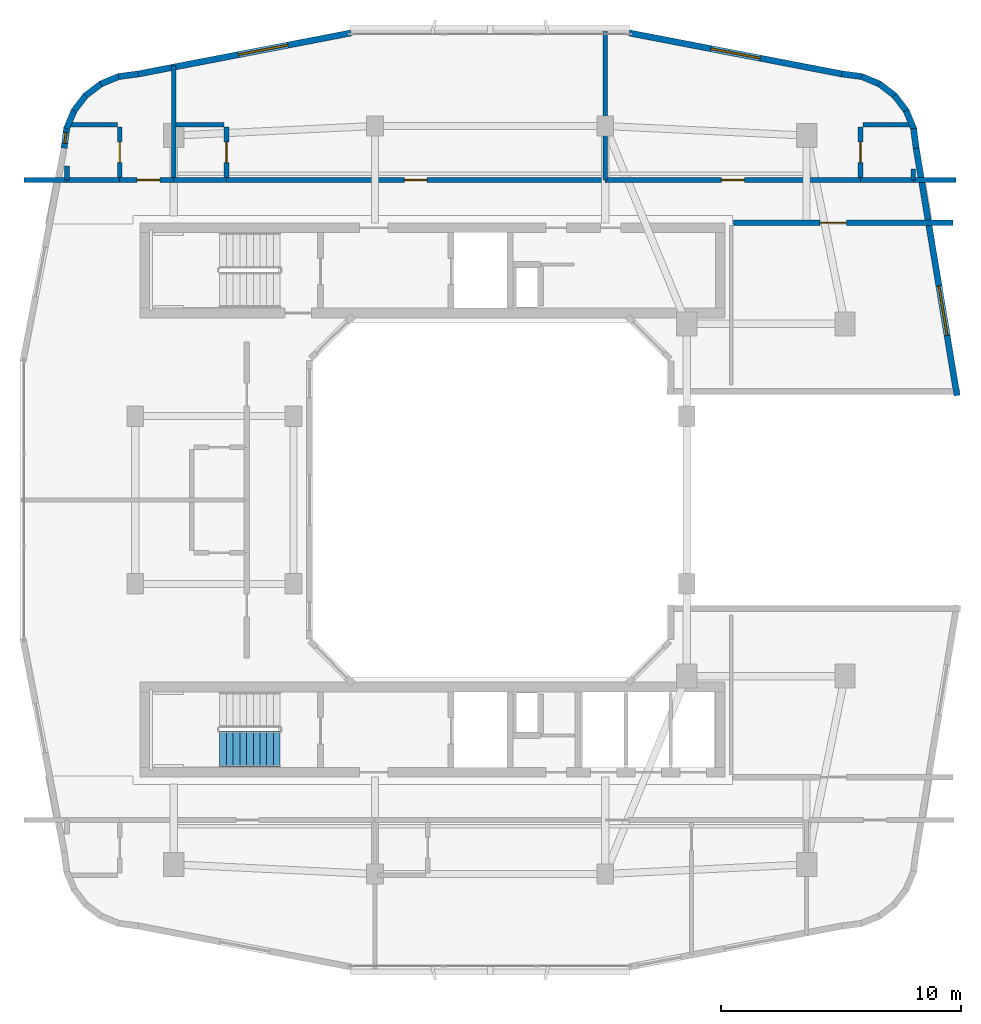
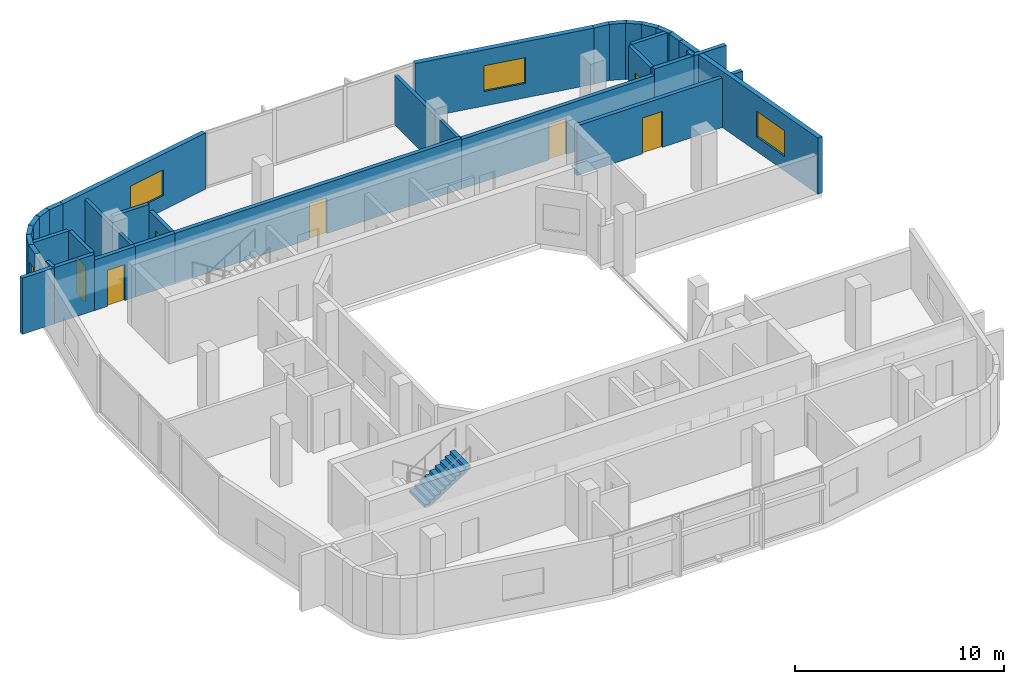
# One storey, part 7 of 12: 34 walls, 7 doors, 4 windows, 1 stair flight, 11 openings, 1 element without a shape of its own.
"""IFC4 building model written with IfcOpenShell, lengths in metres."""

import ifcopenshell
import ifcopenshell.guid

model = None  # the IFC model being written
_history = None  # IfcOwnerHistory: only IFC2X3 demands one
_inside = {}  # id of a spatial element -> (the spatial element, [elements in it])
_under = {}  # id of a project, library or spatial element -> (it, [spatial elements below it])
_declared = {}  # id of a project -> (the project, [libraries it declares])
_typed = {}  # id of a type object -> (the type object, [elements of that type])
_made_of = {}  # id of a material, layer set ... -> (it, [elements and type objects made of it])


def new_model(schema):
    """Start an empty IFC model of exactly this schema.

    Asked for "IFC4X3", IfcOpenShell would pick the latest addendum, in which some entities
    have other attributes; the version numbers below select the first issue.
    IFC2X3 requires an IfcOwnerHistory on every rooted entity: one is made here for all.
    """
    global model, _history
    if schema == "IFC4X3":
        model = ifcopenshell.file(schema_version=(4, 3, 0, 0))
    else:
        model = ifcopenshell.file(schema=schema)
    _inside.clear()
    _under.clear()
    _declared.clear()
    _typed.clear()
    _made_of.clear()
    _history = None
    if model.schema == "IFC2X3":
        org = make("IfcOrganization", Name="unknown")
        user = make(
            "IfcPersonAndOrganization",
            ThePerson=make("IfcPerson", FamilyName="unknown"),
            TheOrganization=org,
        )
        app = make(
            "IfcApplication",
            ApplicationDeveloper=org,
            Version="unknown",
            ApplicationFullName="unknown",
            ApplicationIdentifier="unknown",
        )
        _history = make(
            "IfcOwnerHistory",
            OwningUser=user,
            OwningApplication=app,
            ChangeAction="ADDED",
            CreationDate=0,
        )
    return model


def make(cls, **values):
    """One entity of the class cls with the attributes given. An attribute that is None is left unset."""
    return model.create_entity(
        cls, **{name: value for name, value in values.items() if value is not None}
    )


def rooted(cls, **values):
    """An entity with a GlobalId (a new one), such as an element, a storey or a relation."""
    return make(cls, GlobalId=ifcopenshell.guid.new(), OwnerHistory=_history, **values)


def si_unit(unit_type, name, prefix=None):
    """IfcSIUnit, for example si_unit("LENGTHUNIT", "METRE", prefix="MILLI")."""
    return make("IfcSIUnit", UnitType=unit_type, Prefix=prefix, Name=name)


def derived_unit(unit_type, elements):
    """IfcDerivedUnit: a product of units, each with its exponent."""
    return make(
        "IfcDerivedUnit",
        Elements=[
            make("IfcDerivedUnitElement", Unit=unit, Exponent=power)
            for unit, power in elements
        ],
        UnitType=unit_type,
    )


def assignment(units):
    """IfcUnitAssignment: the units of a project."""
    return None if units is None else make("IfcUnitAssignment", Units=units)


def point(xyz):
    """IfcCartesianPoint."""
    return None if xyz is None else make("IfcCartesianPoint", Coordinates=xyz)


def direction(xyz):
    """IfcDirection."""
    return None if xyz is None else make("IfcDirection", DirectionRatios=xyz)


def frame(location, z_axis=None, x_axis=None):
    """IfcAxis2Placement3D, a coordinate frame: its origin and axes. An axis left out is left unset."""
    return make(
        "IfcAxis2Placement3D",
        Location=point(location),
        Axis=direction(z_axis),
        RefDirection=direction(x_axis),
    )


def frame_2d(location, x_axis=None):
    """IfcAxis2Placement2D, a coordinate frame in the plane: its origin and x axis."""
    return make(
        "IfcAxis2Placement2D", Location=point(location), RefDirection=direction(x_axis)
    )


def origin():
    """The frame at (0, 0, 0) with its axes left unset."""
    return frame((0.0, 0.0, 0.0))


def place(relative_to, where):
    """IfcLocalPlacement: puts the frame where relative to a parent placement (None: the world)."""
    return make(
        "IfcLocalPlacement", PlacementRelTo=relative_to, RelativePlacement=where
    )


def context(
    kind, dimensions, precision=None, world=None, true_north=None, identifier=None
):
    """IfcGeometricRepresentationContext, for example the 3D "Model" context."""
    return make(
        "IfcGeometricRepresentationContext",
        ContextIdentifier=identifier,
        ContextType=kind,
        CoordinateSpaceDimension=dimensions,
        Precision=precision,
        WorldCoordinateSystem=world,
        TrueNorth=true_north,
    )


def subcontext(parent, identifier, kind, view, scale=None):
    """IfcGeometricRepresentationSubContext, for example "Body" below "Model"."""
    return make(
        "IfcGeometricRepresentationSubContext",
        ContextIdentifier=identifier,
        ContextType=kind,
        ParentContext=parent,
        TargetScale=scale,
        TargetView=view,
    )


def project(units=None, contexts=None):
    """IfcProject with its units and contexts."""
    return rooted(
        "IfcProject",
        Name="project",
        RepresentationContexts=contexts,
        UnitsInContext=assignment(units),
    )


def spatial(cls, under=None, at=None, **own):
    """A site, building, storey or space (cls), placed at a placement, below another one or the project."""
    s = rooted(cls, ObjectPlacement=at, **own)
    if under is not None:
        _under.setdefault(under.id(), (under, []))[1].append(s)
    return s


def polyline(points):
    """IfcPolyline through the points."""
    return make("IfcPolyline", Points=[point(p) for p in points])


def profile(cls, at=None, kind="AREA", **sizes):
    """A parametric profile (cls). Its sizes go by their IFC names, for example OverallWidth=200.0."""
    return make(cls, ProfileType=kind, Position=at, **sizes)


def rectangle(**sizes):
    """IfcRectangleProfileDef."""
    return profile("IfcRectangleProfileDef", **sizes)


def outline(outer, holes=None, kind="AREA"):
    """IfcArbitraryClosedProfileDef: a profile drawn as a closed curve; with holes, ...WithVoids."""
    if holes is None:
        return make("IfcArbitraryClosedProfileDef", ProfileType=kind, OuterCurve=outer)
    return make(
        "IfcArbitraryProfileDefWithVoids",
        ProfileType=kind,
        OuterCurve=outer,
        InnerCurves=holes,
    )


def extrude(swept, where, along, depth):
    """IfcExtrudedAreaSolid: the profile swept, set in the frame where, extruded along a direction by depth."""
    return make(
        "IfcExtrudedAreaSolid",
        SweptArea=swept,
        Position=where,
        ExtrudedDirection=direction(along),
        Depth=depth,
    )


def shape(context_of_items, identifier, shape_type, items):
    """IfcShapeRepresentation: the items that make up one representation, for example the "Body"."""
    return make(
        "IfcShapeRepresentation",
        ContextOfItems=context_of_items,
        RepresentationIdentifier=identifier,
        RepresentationType=shape_type,
        Items=items,
    )


def material(Name=None, Category=None):
    """IfcMaterial."""
    return make("IfcMaterial", Name=Name, Category=Category)


def layer(
    of_material, thickness, ventilated=None, Name=None, Category=None, Priority=None
):
    """IfcMaterialLayer: one layer of a wall or slab, of a material (None: an air gap)."""
    return make(
        "IfcMaterialLayer",
        Material=of_material,
        LayerThickness=thickness,
        IsVentilated=ventilated,
        Name=Name,
        Category=Category,
        Priority=Priority,
    )


def layer_set(layers, Name=None):
    """IfcMaterialLayerSet."""
    return make("IfcMaterialLayerSet", MaterialLayers=layers, LayerSetName=Name)


def made_of(thing, what):
    """Note that an element or type object is made of a material, layer set ...; save() writes the relation."""
    if what is not None:
        _made_of.setdefault(what.id(), (what, []))[1].append(thing)
    return thing


def type_object(cls, material=None, **own):
    """A type object (cls), such as IfcWallType, which elements share."""
    return made_of(rooted(cls, **own), material)


def element(
    cls,
    number,
    at=None,
    inside=None,
    cuts=None,
    type_object=None,
    material=None,
    context=None,
    identifier="Body",
    shape_type=None,
    held_by="IfcProductDefinitionShape",
    body=None,
    shapes=None,
    **own,
):
    """One element of the class cls, such as IfcWall. Its Tag is "e" and its number.

    at: its placement. inside: the storey or other place that contains it. cuts: it is an
    opening in that element (IfcRelVoidsElement). A single representation is given by context,
    identifier, shape_type and body (its items); several are given by shapes. held_by: the class
    of the entity that holds the representations. save() writes the other relations.
    """
    e = rooted(cls, Tag="e%d" % number, ObjectPlacement=at, **own)
    if body is not None:
        shapes = [shape(context, identifier, shape_type, body)]
    if shapes is not None:
        e.Representation = make(held_by, Representations=shapes)
    if inside is not None:
        _inside.setdefault(inside.id(), (inside, []))[1].append(e)
    if cuts is not None:
        rooted(
            "IfcRelVoidsElement", RelatingBuildingElement=cuts, RelatedOpeningElement=e
        )
    if type_object is not None:
        _typed.setdefault(type_object.id(), (type_object, []))[1].append(e)
    return made_of(e, material)


def fill(opening, filler):
    """IfcRelFillsElement: the door or window that sits in an opening."""
    return rooted(
        "IfcRelFillsElement",
        RelatingOpeningElement=opening,
        RelatedBuildingElement=filler,
    )


def aggregate(whole, parts):
    """IfcRelAggregates: a whole, such as a stair, and the parts it consists of."""
    return rooted("IfcRelAggregates", RelatingObject=whole, RelatedObjects=parts)


def save(model, path):
    """Write the relations noted so far, then the file.

    IfcRelAggregates (storeys below a building ...), IfcRelContainedInSpatialStructure (elements
    in a storey), IfcRelDefinesByType, IfcRelAssociatesMaterial and IfcRelDeclares: one each for
    every whole, place, type object, material and project.
    """
    for whole, parts in _under.values():
        aggregate(whole, parts)
    for where, things in _inside.values():
        rooted(
            "IfcRelContainedInSpatialStructure",
            RelatedElements=things,
            RelatingStructure=where,
        )
    for kind, things in _typed.values():
        rooted("IfcRelDefinesByType", RelatedObjects=things, RelatingType=kind)
    for what, things in _made_of.values():
        rooted("IfcRelAssociatesMaterial", RelatedObjects=things, RelatingMaterial=what)
    for by, libraries in _declared.values():
        rooted("IfcRelDeclares", RelatingContext=by, RelatedDefinitions=libraries)
    model.write(path)


model = new_model("IFC4")

# Units and contexts
model_context = context("Model", 3, precision=1e-05, world=origin(), true_north=direction((0.0, 1.0)))
body_context = subcontext(model_context, "Body", "Model", "MODEL_VIEW")
ifc_project = project(units=[si_unit("LENGTHUNIT", "METRE"), si_unit("AREAUNIT", "SQUARE_METRE"), si_unit("VOLUMEUNIT", "CUBIC_METRE"), si_unit("PLANEANGLEUNIT", "RADIAN"), si_unit("MASSUNIT", "GRAM", prefix="KILO"), derived_unit("THERMALTRANSMITTANCEUNIT", [(si_unit("POWERUNIT", "WATT"), 1), (si_unit("LENGTHUNIT", "METRE"), -2), (si_unit("THERMODYNAMICTEMPERATUREUNIT", "KELVIN"), -1)])], contexts=[model_context])

# Site, building, storey
site_placement = place(None, origin())
site = spatial("IfcSite", under=ifc_project, at=site_placement, CompositionType="ELEMENT")
building_placement = place(site_placement, origin())
building = spatial("IfcBuilding", under=site, at=building_placement, Name="Kivonza Crest Hotel", CompositionType="ELEMENT")
storey_placement = place(building_placement, frame((0.0, 0.0, 195.5)))
storey = spatial("IfcBuildingStorey", under=building, at=storey_placement, Name="L53", CompositionType="ELEMENT", Elevation=195.5)

# Walls
ifc_material_1 = material(Name="High-density acoustic masonry inter-tenancy wall", Category="masonry")
ifc_layer_1 = layer(ifc_material_1, 0.179931640625)
ifc_layer_set_1 = layer_set([ifc_layer_1], Name="High-density acoustic masonry inter-tenancy wall")
wall_type_1 = type_object("IfcWallType", Name="WL-ACOU-180", PredefinedType="SOLIDWALL", material=ifc_layer_set_1)
wall_1_placement = place(storey_placement, frame((7.800048828125, 38.35009765625, 0.0), z_axis=(0.0, 0.0, 1.0), x_axis=(0.0, 1.0, 0.0)))
element("IfcWall", 1, at=wall_1_placement, inside=storey, type_object=wall_type_1, Name="L53 interior partition WA-L53-T1N-DIV1", PredefinedType="SOLIDWALL", context=body_context, shape_type="SweptSolid", body=[
    extrude(rectangle(XDim=4.77783203125, YDim=0.179931640625, at=frame_2d((2.388916015625, 0.0))), origin(), (0.0, 0.0, 1.0), 2.89501953125),
])
wall_2_placement = place(storey_placement, frame((25.800048828125, 38.35009765625, 0.0), z_axis=(0.0, 0.0, 1.0), x_axis=(0.0, 1.0, 0.0)))
element("IfcWall", 2, at=wall_2_placement, inside=storey, type_object=wall_type_1, Name="L53 interior partition WA-L53-T1N-DIV2", PredefinedType="SOLIDWALL", context=body_context, shape_type="SweptSolid", body=[
    extrude(rectangle(XDim=6.18994140625, YDim=0.179931640625, at=frame_2d((3.094970703125, 0.0))), origin(), (0.0, 0.0, 1.0), 2.89501953125),
])
ifc_material_2 = material(Name="Autoclaved aerated concrete blockwork", Category="masonry")
ifc_layer_2 = layer(ifc_material_2, 0.219970703125)
ifc_layer_set_2 = layer_set([ifc_layer_2], Name="Autoclaved aerated concrete blockwork")
wall_type_2 = type_object("IfcWallType", Name="WL-ACOU-220", PredefinedType="SOLIDWALL", material=ifc_layer_set_2)
wall_3_placement = place(storey_placement, frame((1.56005859375, 38.35009765625, 0.0), z_axis=(0.0, 0.0, 1.0), x_axis=(1.0, 0.0, 0.0)))
element("IfcWall", 3, at=wall_3_placement, inside=storey, type_object=wall_type_2, Name="L53 interior partition WA-L53-N01-XCORR", PredefinedType="SOLIDWALL", context=body_context, shape_type="SweptSolid", body=[
    extrude(rectangle(XDim=1.7900390625, YDim=0.219970703125, at=frame_2d((0.89501953125, 0.0))), origin(), (0.0, 0.0, 1.0), 3.280029296875),
])
wall_4_placement = place(storey_placement, frame((3.35009765625, 38.35009765625, 0.0), z_axis=(0.0, 0.0, 1.0), x_axis=(1.0, 0.0, 0.0)))
element("IfcWall", 4, at=wall_4_placement, inside=storey, type_object=wall_type_2, Name="L53 interior partition WA-L53-N01-BCORR", PredefinedType="SOLIDWALL", context=body_context, shape_type="SweptSolid", body=[
    extrude(rectangle(XDim=2.199951171875, YDim=0.219970703125, at=frame_2d((1.10009765625, 0.0))), origin(), (0.0, 0.0, 1.0), 3.280029296875),
])

# Wall, opening, door
wall_5_placement = place(storey_placement, frame((5.550048828125, 38.35009765625, 0.0), z_axis=(0.0, 0.0, 1.0), x_axis=(1.0, 0.0, 0.0)))
wall_5 = element("IfcWall", 5, at=wall_5_placement, inside=storey, type_object=wall_type_2, Name="L53 interior partition WA-L53-N01-MCORR", PredefinedType="SOLIDWALL", context=body_context, shape_type="SweptSolid", body=[
    extrude(rectangle(XDim=2.25, YDim=0.219970703125, at=frame_2d((1.125, 0.0))), origin(), (0.0, 0.0, 1.0), 2.955078125),
])
opening_1_placement = place(wall_5_placement, frame((0.719970703125, 0.0, 0.0)))
opening_1 = element("IfcOpeningElement", 6, at=opening_1_placement, cuts=wall_5, Name="Opening DU-60", PredefinedType="OPENING", context=body_context, shape_type="SweptSolid", body=[
    extrude(rectangle(XDim=0.949951171875, YDim=2.10009765625, at=frame_2d((0.47509765625, 1.050048828125))), frame((0.0, 0.1201171875, 0.0), z_axis=(0.0, -1.0, 0.0), x_axis=(1.0, 0.0, 0.0)), (0.0, 0.0, 1.0), 0.239990234375),
])
ifc_material_3 = material(Name="Hardwood timber oak", Category="wood")
door_type_1 = type_object("IfcDoorType", Name="DR-UNIT-950", OperationType="NOTDEFINED", PredefinedType="DOOR", material=ifc_material_3)
door_1_placement = place(opening_1_placement, origin())
door_1 = element("IfcDoor", 7, at=door_1_placement, inside=storey, type_object=door_type_1, Name="L53 N01 guest unit entrance fire door", OperationType="SINGLE_SWING_LEFT", OverallHeight=2.10009765625, OverallWidth=0.949951171875, PredefinedType="DOOR", context=body_context, shape_type="SweptSolid", body=[
    extrude(rectangle(XDim=0.949951171875, YDim=2.10009765625, at=frame_2d((0.47509765625, 1.050048828125))), frame((0.0, 0.02490234375, 0.0), z_axis=(0.0, -1.0, 0.0), x_axis=(1.0, 0.0, 0.0)), (0.0, 0.0, 1.0), 0.050048828125),
])
fill(opening_1, door_1)

# Wall
wall_6_placement = place(storey_placement, frame((7.800048828125, 38.35009765625, 0.0), z_axis=(0.0, 0.0, 1.0), x_axis=(1.0, 0.0, 0.0)))
element("IfcWall", 8, at=wall_6_placement, inside=storey, type_object=wall_type_2, Name="L53 interior partition WA-L53-N02-BCORR", PredefinedType="SOLIDWALL", context=body_context, shape_type="SweptSolid", body=[
    extrude(rectangle(XDim=2.199951171875, YDim=0.219970703125, at=frame_2d((1.10009765625, 0.0))), origin(), (0.0, 0.0, 1.0), 2.955078125),
])

# Wall, opening, door
wall_7_placement = place(storey_placement, frame((10.0, 38.35009765625, 0.0), z_axis=(0.0, 0.0, 1.0), x_axis=(1.0, 0.0, 0.0)))
wall_7 = element("IfcWall", 9, at=wall_7_placement, inside=storey, type_object=wall_type_2, Name="L53 interior partition WA-L53-N02-MCORR", PredefinedType="SOLIDWALL", context=body_context, shape_type="SweptSolid", body=[
    extrude(rectangle(XDim=15.800048828125, YDim=0.219970703125, at=frame_2d((7.89990234375, 0.0))), origin(), (0.0, 0.0, 1.0), 2.955078125),
])
opening_2_placement = place(wall_7_placement, frame((7.425048828125, 0.0, 0.0)))
opening_2 = element("IfcOpeningElement", 10, at=opening_2_placement, cuts=wall_7, Name="Opening DU-60", PredefinedType="OPENING", context=body_context, shape_type="SweptSolid", body=[
    extrude(rectangle(XDim=0.949951171875, YDim=2.10009765625, at=frame_2d((0.47509765625, 1.050048828125))), frame((0.0, 0.1201171875, 0.0), z_axis=(0.0, -1.0, 0.0), x_axis=(1.0, 0.0, 0.0)), (0.0, 0.0, 1.0), 0.239990234375),
])
door_2_placement = place(opening_2_placement, origin())
door_2 = element("IfcDoor", 11, at=door_2_placement, inside=storey, type_object=door_type_1, Name="L53 N02 guest unit entrance fire door", OperationType="SINGLE_SWING_RIGHT", OverallHeight=2.10009765625, OverallWidth=0.949951171875, PredefinedType="DOOR", context=body_context, shape_type="SweptSolid", body=[
    extrude(rectangle(XDim=0.949951171875, YDim=2.10009765625, at=frame_2d((0.47509765625, 1.050048828125))), frame((0.0, 0.02490234375, 0.0), z_axis=(0.0, -1.0, 0.0), x_axis=(1.0, 0.0, 0.0)), (0.0, 0.0, 1.0), 0.050048828125),
])
fill(opening_2, door_2)

# Walls
wall_8_placement = place(storey_placement, frame((38.64990234375, 38.35009765625, 0.0), z_axis=(0.0, 0.0, 1.0), x_axis=(1.0, 0.0, 0.0)))
element("IfcWall", 12, at=wall_8_placement, inside=storey, type_object=wall_type_2, Name="L53 interior partition WA-L53-N03-XCORR", PredefinedType="SOLIDWALL", context=body_context, shape_type="SweptSolid", body=[
    extrude(rectangle(XDim=1.7900390625, YDim=0.219970703125, at=frame_2d((0.89501953125, 0.0))), origin(), (0.0, 0.0, 1.0), 3.280029296875),
])
wall_9_placement = place(storey_placement, frame((36.449951171875, 38.35009765625, 0.0), z_axis=(0.0, 0.0, 1.0), x_axis=(1.0, 0.0, 0.0)))
element("IfcWall", 13, at=wall_9_placement, inside=storey, type_object=wall_type_2, Name="L53 interior partition WA-L53-N03-BCORR", PredefinedType="SOLIDWALL", context=body_context, shape_type="SweptSolid", body=[
    extrude(rectangle(XDim=2.199951171875, YDim=0.219970703125, at=frame_2d((1.10009765625, 0.0))), origin(), (0.0, 0.0, 1.0), 3.280029296875),
])

# Wall, opening, door
wall_10_placement = place(storey_placement, frame((25.800048828125, 38.35009765625, 0.0), z_axis=(0.0, 0.0, 1.0), x_axis=(1.0, 0.0, 0.0)))
wall_10 = element("IfcWall", 14, at=wall_10_placement, inside=storey, type_object=wall_type_2, Name="L53 interior partition WA-L53-N03-MCORR", PredefinedType="SOLIDWALL", context=body_context, shape_type="SweptSolid", body=[
    extrude(rectangle(XDim=10.64990234375, YDim=0.219970703125, at=frame_2d((5.324951171875, 0.0))), origin(), (0.0, 0.0, 1.0), 2.89501953125),
])
opening_3_placement = place(wall_10_placement, frame((4.85009765625, 0.0, 0.0)))
opening_3 = element("IfcOpeningElement", 15, at=opening_3_placement, cuts=wall_10, Name="Opening DU-60", PredefinedType="OPENING", context=body_context, shape_type="SweptSolid", body=[
    extrude(rectangle(XDim=0.949951171875, YDim=2.10009765625, at=frame_2d((0.47509765625, 1.050048828125))), frame((0.0, 0.1201171875, 0.0), z_axis=(0.0, -1.0, 0.0), x_axis=(1.0, 0.0, 0.0)), (0.0, 0.0, 1.0), 0.239990234375),
])
door_3_placement = place(opening_3_placement, origin())
door_3 = element("IfcDoor", 16, at=door_3_placement, inside=storey, type_object=door_type_1, Name="L53 N03 guest unit entrance fire door", OperationType="SINGLE_SWING_LEFT", OverallHeight=2.10009765625, OverallWidth=0.949951171875, PredefinedType="DOOR", context=body_context, shape_type="SweptSolid", body=[
    extrude(rectangle(XDim=0.949951171875, YDim=2.10009765625, at=frame_2d((0.47509765625, 1.050048828125))), frame((0.0, 0.02490234375, 0.0), z_axis=(0.0, -1.0, 0.0), x_axis=(1.0, 0.0, 0.0)), (0.0, 0.0, 1.0), 0.050048828125),
])
fill(opening_3, door_3)

wall_11_placement = place(storey_placement, frame((31.14990234375, 36.56005859375, 0.0), z_axis=(0.0, 0.0, 1.0), x_axis=(1.0, 0.0, 0.0)))
wall_11 = element("IfcWall", 17, at=wall_11_placement, inside=storey, type_object=wall_type_2, Name="L53 interior partition WA-L53-EP2-N", PredefinedType="SOLIDWALL", context=body_context, shape_type="SweptSolid", body=[
    extrude(rectangle(XDim=9.150146484375, YDim=0.219970703125, at=frame_2d((4.5751953125, 0.0))), origin(), (0.0, 0.0, 1.0), 2.89501953125),
])
opening_4_placement = place(wall_11_placement, frame((3.612060546875, 0.0, 0.0)))
opening_4 = element("IfcOpeningElement", 18, at=opening_4_placement, cuts=wall_11, Name="Opening DF-60M", PredefinedType="OPENING", context=body_context, shape_type="SweptSolid", body=[
    extrude(rectangle(XDim=1.10009765625, YDim=2.10009765625, at=frame_2d((0.550048828125, 1.050048828125))), frame((0.0, 0.1201171875, 0.0), z_axis=(0.0, -1.0, 0.0), x_axis=(1.0, 0.0, 0.0)), (0.0, 0.0, 1.0), 0.239990234375),
])
door_type_2 = type_object("IfcDoorType", Name="DR-FD60-1100", OperationType="NOTDEFINED", PredefinedType="DOOR", material=ifc_material_3)
door_4_placement = place(opening_4_placement, frame((1.10009765625, 0.0, 0.0), z_axis=(0.0, 0.0, 1.0), x_axis=(-1.0, 0.0, 0.0)))
door_4 = element("IfcDoor", 19, at=door_4_placement, inside=storey, type_object=door_type_2, Name="L53 North Portal Sky Salon door", OperationType="SINGLE_SWING_LEFT", OverallHeight=2.10009765625, OverallWidth=1.10009765625, PredefinedType="DOOR", context=body_context, shape_type="SweptSolid", body=[
    extrude(rectangle(XDim=1.10009765625, YDim=2.10009765625, at=frame_2d((0.550048828125, 1.050048828125))), frame((0.0, 0.02490234375, 0.0), z_axis=(0.0, -1.0, 0.0), x_axis=(1.0, 0.0, 0.0)), (0.0, 0.0, 1.0), 0.050048828125),
])
fill(opening_4, door_4)

# Wall, opening, window
ifc_material_4 = material(Name="Precast concrete C40/50", Category="concrete")
ifc_layer_3 = layer(ifc_material_4, 0.260009765625)
ifc_layer_set_3 = layer_set([ifc_layer_3], Name="Precast concrete C40/50")
wall_type_3 = type_object("IfcWallType", Name="WL-EXT-260", PredefinedType="STANDARD", material=ifc_layer_set_3)
wall_12_placement = place(storey_placement, frame((40.47607421875, 29.35400390625, 0.0), z_axis=(0.0, 0.0, 1.0), x_axis=(-0.162811037825, 0.986657268742, 0.0)))
wall_12 = element("IfcWall", 20, at=wall_12_placement, inside=storey, type_object=wall_type_3, Name="L53 T1 exterior insulated wall 28", PredefinedType="STANDARD", context=body_context, shape_type="SweptSolid", body=[
    extrude(rectangle(XDim=10.47265625, YDim=0.260009765625, at=frame_2d((5.236328125, 0.0))), origin(), (0.0, 0.0, 1.0), 3.280029296875),
])
opening_5_placement = place(wall_12_placement, frame((2.544921875, 0.0, 0.85009765625)))
opening_5 = element("IfcOpeningElement", 21, at=opening_5_placement, cuts=wall_12, Name="Opening WN-04", PredefinedType="OPENING", context=body_context, shape_type="SweptSolid", body=[
    extrude(rectangle(XDim=2.10009765625, YDim=1.5, at=frame_2d((1.050048828125, 0.75))), frame((0.0, 0.14013671875, 0.0), z_axis=(0.0, -1.0, 0.0), x_axis=(1.0, 0.0, 0.0)), (0.0, 0.0, 1.0), 0.280029296875),
])
ifc_material_5 = material(Name="Thermally broken bronze aluminium and low-E double glazing", Category="aluminium")
window_type_1 = type_object("IfcWindowType", Name="WN-210x150", PartitioningType="DOUBLE_PANEL_VERTICAL", PredefinedType="WINDOW", material=ifc_material_5)
window_1_placement = place(opening_5_placement, origin())
window_1 = element("IfcWindow", 22, at=window_1_placement, inside=storey, type_object=window_type_1, Name="L53 T1 facade window 28", OverallHeight=1.5, OverallWidth=2.10009765625, PartitioningType="SINGLE_PANEL", PredefinedType="WINDOW", context=body_context, shape_type="SweptSolid", body=[
    extrude(rectangle(XDim=2.10009765625, YDim=1.5, at=frame_2d((1.050048828125, 0.75))), frame((0.0, 0.030029296875, 0.0), z_axis=(0.0, -1.0, 0.0), x_axis=(1.0, 0.0, 0.0)), (0.0, 0.0, 1.0), 0.06005859375),
])
fill(opening_5, window_1)

# Walls
wall_13_placement = place(storey_placement, frame((38.77197265625, 39.675048828125, 0.0), z_axis=(0.0, 0.0, 1.0), x_axis=(-0.130704676564, 0.99142134712, 0.0)))
element("IfcWall", 23, at=wall_13_placement, inside=storey, type_object=wall_type_3, Name="L53 T1 exterior insulated wall 29", PredefinedType="STANDARD", context=body_context, shape_type="SweptSolid", body=[
    extrude(rectangle(XDim=0.8330078125, YDim=0.260009765625, at=frame_2d((0.41650390625, 0.0))), origin(), (0.0, 0.0, 1.0), 3.280029296875),
])
wall_14_placement = place(storey_placement, frame((38.680908203125, 40.455078125, 0.0), z_axis=(0.0, 0.0, 1.0), x_axis=(-0.383086687796, 0.923712395518, 0.0)))
element("IfcWall", 24, at=wall_14_placement, inside=storey, type_object=wall_type_3, Name="L53 T1 exterior insulated wall 30", PredefinedType="STANDARD", context=body_context, shape_type="SweptSolid", body=[
    extrude(rectangle(XDim=0.850830078125, YDim=0.260009765625, at=frame_2d((0.42529296875, 0.0))), origin(), (0.0, 0.0, 1.0), 3.280029296875),
])
for number, where, z_axis, x_axis, name in (
    (25, (38.383056640625, 41.200927734375, 0.0), (0.0, 0.0, 1.0), (-0.608099977432, 0.793860452124, 0.0), "L53 T1 exterior insulated wall 31"),
    (26, (37.904052734375, 41.844970703125, 0.0), (0.0, 0.0, 1.0), (-0.793860452124, 0.608099977432, 0.0), "L53 T1 exterior insulated wall 32"),
):
    element("IfcWall", number, at=place(storey_placement, frame(where, z_axis=z_axis, x_axis=x_axis)), inside=storey, type_object=wall_type_3, Name=name, PredefinedType="STANDARD", context=body_context, shape_type="SweptSolid", body=[
        extrude(rectangle(XDim=0.850341796875, YDim=0.260009765625, at=frame_2d((0.42529296875, 0.0))), origin(), (0.0, 0.0, 1.0), 3.280029296875),
    ])
wall_15_placement = place(storey_placement, frame((37.27294921875, 42.341064453125, 0.0), z_axis=(0.0, 0.0, 1.0), x_axis=(-0.923712395518, 0.383086687796, 0.0)))
element("IfcWall", 27, at=wall_15_placement, inside=storey, type_object=wall_type_3, Name="L53 T1 exterior insulated wall 33", PredefinedType="STANDARD", context=body_context, shape_type="SweptSolid", body=[
    extrude(rectangle(XDim=0.850830078125, YDim=0.260009765625, at=frame_2d((0.42529296875, 0.0))), origin(), (0.0, 0.0, 1.0), 3.280029296875),
])
wall_16_placement = place(storey_placement, frame((36.535888671875, 42.658935546875, 0.0), z_axis=(0.0, 0.0, 1.0), x_axis=(-0.991488716273, 0.130192647656, 0.0)))
element("IfcWall", 28, at=wall_16_placement, inside=storey, type_object=wall_type_3, Name="L53 T1 exterior insulated wall 34", PredefinedType="STANDARD", context=body_context, shape_type="SweptSolid", body=[
    extrude(rectangle(XDim=0.8681640625, YDim=0.260009765625, at=frame_2d((0.43408203125, 0.0))), origin(), (0.0, 0.0, 1.0), 3.280029296875),
])

# Wall, opening, window
wall_17_placement = place(storey_placement, frame((35.68310546875, 42.77001953125, 0.0), z_axis=(0.0, 0.0, 1.0), x_axis=(-0.98192801022, 0.189254809039, 0.0)))
wall_17 = element("IfcWall", 29, at=wall_17_placement, inside=storey, type_object=wall_type_3, Name="L53 T1 exterior insulated wall 35", PredefinedType="STANDARD", context=body_context, shape_type="SweptSolid", body=[
    extrude(rectangle(XDim=9.045654296875, YDim=0.260009765625, at=frame_2d((4.52294921875, 0.0))), origin(), (0.0, 0.0, 1.0), 3.280029296875),
])
opening_6_placement = place(wall_17_placement, frame((3.472900390625, 0.0, 0.85009765625)))
opening_6 = element("IfcOpeningElement", 30, at=opening_6_placement, cuts=wall_17, Name="Opening WN-04", PredefinedType="OPENING", context=body_context, shape_type="SweptSolid", body=[
    extrude(rectangle(XDim=2.10009765625, YDim=1.5, at=frame_2d((1.050048828125, 0.75))), frame((0.0, 0.14013671875, 0.0), z_axis=(0.0, -1.0, 0.0), x_axis=(1.0, 0.0, 0.0)), (0.0, 0.0, 1.0), 0.280029296875),
])
window_2_placement = place(opening_6_placement, origin())
window_2 = element("IfcWindow", 31, at=window_2_placement, inside=storey, type_object=window_type_1, Name="L53 T1 facade window 35", OverallHeight=1.5, OverallWidth=2.10009765625, PartitioningType="SINGLE_PANEL", PredefinedType="WINDOW", context=body_context, shape_type="SweptSolid", body=[
    extrude(rectangle(XDim=2.10009765625, YDim=1.5, at=frame_2d((1.050048828125, 0.75))), frame((0.0, 0.030029296875, 0.0), z_axis=(0.0, -1.0, 0.0), x_axis=(1.0, 0.0, 0.0)), (0.0, 0.0, 1.0), 0.06005859375),
])
fill(opening_6, window_2)

wall_18_placement = place(storey_placement, frame((15.198974609375, 44.48193359375, 0.0), z_axis=(0.0, 0.0, 1.0), x_axis=(-0.98192801022, -0.189254809039, 0.0)))
wall_18 = element("IfcWall", 32, at=wall_18_placement, inside=storey, type_object=wall_type_3, Name="L53 T1 exterior insulated wall 37", PredefinedType="STANDARD", context=body_context, shape_type="SweptSolid", body=[
    extrude(rectangle(XDim=9.045654296875, YDim=0.260009765625, at=frame_2d((4.52294921875, 0.0))), origin(), (0.0, 0.0, 1.0), 3.280029296875),
])
opening_7_placement = place(wall_18_placement, frame((2.680908203125, 0.0, 0.85009765625)))
opening_7 = element("IfcOpeningElement", 33, at=opening_7_placement, cuts=wall_18, Name="Opening WN-04", PredefinedType="OPENING", context=body_context, shape_type="SweptSolid", body=[
    extrude(rectangle(XDim=2.10009765625, YDim=1.5, at=frame_2d((1.050048828125, 0.75))), frame((0.0, 0.14013671875, 0.0), z_axis=(0.0, -1.0, 0.0), x_axis=(1.0, 0.0, 0.0)), (0.0, 0.0, 1.0), 0.280029296875),
])
window_3_placement = place(opening_7_placement, origin())
window_3 = element("IfcWindow", 34, at=window_3_placement, inside=storey, type_object=window_type_1, Name="L53 T1 facade window 37", OverallHeight=1.5, OverallWidth=2.10009765625, PartitioningType="SINGLE_PANEL", PredefinedType="WINDOW", context=body_context, shape_type="SweptSolid", body=[
    extrude(rectangle(XDim=2.10009765625, YDim=1.5, at=frame_2d((1.050048828125, 0.75))), frame((0.0, 0.030029296875, 0.0), z_axis=(0.0, -1.0, 0.0), x_axis=(1.0, 0.0, 0.0)), (0.0, 0.0, 1.0), 0.06005859375),
])
fill(opening_7, window_3)

# Walls
wall_19_placement = place(storey_placement, frame((6.324951171875, 42.77197265625, 0.0), z_axis=(0.0, 0.0, 1.0), x_axis=(-0.99142134712, -0.130704676564, 0.0)))
element("IfcWall", 35, at=wall_19_placement, inside=storey, type_object=wall_type_3, Name="L53 T1 exterior insulated wall 38", PredefinedType="STANDARD", context=body_context, shape_type="SweptSolid", body=[
    extrude(rectangle(XDim=0.8330078125, YDim=0.260009765625, at=frame_2d((0.41650390625, 0.0))), origin(), (0.0, 0.0, 1.0), 3.280029296875),
])
wall_20_placement = place(storey_placement, frame((5.544921875, 42.680908203125, 0.0), z_axis=(0.0, 0.0, 1.0), x_axis=(-0.923712395518, -0.383086687796, 0.0)))
element("IfcWall", 36, at=wall_20_placement, inside=storey, type_object=wall_type_3, Name="L53 T1 exterior insulated wall 39", PredefinedType="STANDARD", context=body_context, shape_type="SweptSolid", body=[
    extrude(rectangle(XDim=0.850830078125, YDim=0.260009765625, at=frame_2d((0.42529296875, 0.0))), origin(), (0.0, 0.0, 1.0), 3.280029296875),
])
for number, where, z_axis, x_axis, name in (
    (37, (4.799072265625, 42.383056640625, 0.0), (0.0, 0.0, 1.0), (-0.793860452124, -0.608099977432, 0.0), "L53 T1 exterior insulated wall 40"),
    (38, (4.155029296875, 41.904052734375, 0.0), (0.0, 0.0, 1.0), (-0.608099977432, -0.793860452124, 0.0), "L53 T1 exterior insulated wall 41"),
):
    element("IfcWall", number, at=place(storey_placement, frame(where, z_axis=z_axis, x_axis=x_axis)), inside=storey, type_object=wall_type_3, Name=name, PredefinedType="STANDARD", context=body_context, shape_type="SweptSolid", body=[
        extrude(rectangle(XDim=0.850341796875, YDim=0.260009765625, at=frame_2d((0.42529296875, 0.0))), origin(), (0.0, 0.0, 1.0), 3.280029296875),
    ])
wall_21_placement = place(storey_placement, frame((3.658935546875, 41.27294921875, 0.0), z_axis=(0.0, 0.0, 1.0), x_axis=(-0.383086687796, -0.923712395518, 0.0)))
element("IfcWall", 39, at=wall_21_placement, inside=storey, type_object=wall_type_3, Name="L53 T1 exterior insulated wall 42", PredefinedType="STANDARD", context=body_context, shape_type="SweptSolid", body=[
    extrude(rectangle(XDim=0.850830078125, YDim=0.260009765625, at=frame_2d((0.42529296875, 0.0))), origin(), (0.0, 0.0, 1.0), 3.280029296875),
])

# Wall, opening, window
wall_22_placement = place(storey_placement, frame((3.341064453125, 40.535888671875, 0.0), z_axis=(0.0, 0.0, 1.0), x_axis=(-0.130192647656, -0.991488716273, 0.0)))
wall_22 = element("IfcWall", 40, at=wall_22_placement, inside=storey, type_object=wall_type_3, Name="L53 T1 exterior insulated wall 43", PredefinedType="STANDARD", context=body_context, shape_type="SweptSolid", body=[
    extrude(rectangle(XDim=0.8681640625, YDim=0.260009765625, at=frame_2d((0.43408203125, 0.0))), origin(), (0.0, 0.0, 1.0), 3.280029296875),
])
opening_8_placement = place(wall_22_placement, frame((0.208984375, 0.0, 0.85009765625)))
opening_8 = element("IfcOpeningElement", 41, at=opening_8_placement, cuts=wall_22, Name="Opening WN-11", PredefinedType="OPENING", context=body_context, shape_type="SweptSolid", body=[
    extrude(rectangle(XDim=0.449951171875, YDim=1.5, at=frame_2d((0.22509765625, 0.75))), frame((0.0, 0.14013671875, 0.0), z_axis=(0.0, -1.0, 0.0), x_axis=(1.0, 0.0, 0.0)), (0.0, 0.0, 1.0), 0.280029296875),
])
window_type_2 = type_object("IfcWindowType", Name="WN-045x150", PartitioningType="SINGLE_PANEL", PredefinedType="WINDOW", material=ifc_material_5)
window_4_placement = place(opening_8_placement, origin())
window_4 = element("IfcWindow", 42, at=window_4_placement, inside=storey, type_object=window_type_2, Name="L53 corner vision window 1", OverallHeight=1.5, OverallWidth=0.449951171875, PartitioningType="SINGLE_PANEL", PredefinedType="WINDOW", context=body_context, shape_type="SweptSolid", body=[
    extrude(rectangle(XDim=0.449951171875, YDim=1.5, at=frame_2d((0.22509765625, 0.75))), frame((0.0, 0.030029296875, 0.0), z_axis=(0.0, -1.0, 0.0), x_axis=(1.0, 0.0, 0.0)), (0.0, 0.0, 1.0), 0.06005859375),
])
fill(opening_8, window_4)

# Wall, opening, door
ifc_material_6 = material(Name="Moisture-resistant plumbing chase partition wall", Category="gypsum")
ifc_layer_4 = layer(ifc_material_6, 0.199951171875)
ifc_layer_set_4 = layer_set([ifc_layer_4], Name="Moisture-resistant plumbing chase partition wall")
wall_type_4 = type_object("IfcWallType", Name="WL-PLUMB-200", PredefinedType="PLUMBINGWALL", material=ifc_layer_set_4)
wall_23_placement = place(storey_placement, frame((5.550048828125, 38.449951171875, 0.0), z_axis=(0.0, 0.0, 1.0), x_axis=(0.0, 1.0, 0.0)))
wall_23 = element("IfcWall", 43, at=wall_23_placement, inside=storey, type_object=wall_type_4, Name="L53 interior partition WW-L53-N01-BV", PredefinedType="PLUMBINGWALL", context=body_context, shape_type="SweptSolid", body=[
    extrude(rectangle(XDim=2.10009765625, YDim=0.199951171875, at=frame_2d((1.050048828125, 0.0))), origin(), (0.0, 0.0, 1.0), 3.280029296875),
])
opening_9_placement = place(wall_23_placement, frame((0.625, 0.0, 0.0)))
opening_9 = element("IfcOpeningElement", 44, at=opening_9_placement, cuts=wall_23, Name="Opening DI-85", PredefinedType="OPENING", context=body_context, shape_type="SweptSolid", body=[
    extrude(rectangle(XDim=0.85009765625, YDim=2.10009765625, at=frame_2d((0.425048828125, 1.050048828125))), frame((0.0, 0.10986328125, 0.0), z_axis=(0.0, -1.0, 0.0), x_axis=(1.0, 0.0, 0.0)), (0.0, 0.0, 1.0), 0.219970703125),
])
door_type_3 = type_object("IfcDoorType", Name="DR-INT-850", OperationType="NOTDEFINED", PredefinedType="DOOR", material=ifc_material_3)
door_5_placement = place(opening_9_placement, frame((0.85009765625, 0.0, 0.0), z_axis=(0.0, 0.0, 1.0), x_axis=(-1.0, 0.0, 0.0)))
door_5 = element("IfcDoor", 45, at=door_5_placement, inside=storey, type_object=door_type_3, Name="L53 N01 en-suite bathroom door", OperationType="SINGLE_SWING_RIGHT", OverallHeight=2.10009765625, OverallWidth=0.85009765625, PredefinedType="DOOR", context=body_context, shape_type="SweptSolid", body=[
    extrude(rectangle(XDim=0.85009765625, YDim=2.10009765625, at=frame_2d((0.425048828125, 1.050048828125))), frame((0.0, 0.02490234375, 0.0), z_axis=(0.0, -1.0, 0.0), x_axis=(1.0, 0.0, 0.0)), (0.0, 0.0, 1.0), 0.050048828125),
])
fill(opening_9, door_5)

# Walls
wall_24_placement = place(storey_placement, frame((3.449951171875, 40.64990234375, 0.0), z_axis=(0.0, 0.0, 1.0), x_axis=(1.0, 0.0, 0.0)))
element("IfcWall", 46, at=wall_24_placement, inside=storey, type_object=wall_type_4, Name="L53 interior partition WW-L53-N01-BH", PredefinedType="PLUMBINGWALL", context=body_context, shape_type="SweptSolid", body=[
    extrude(rectangle(XDim=2.0, YDim=0.199951171875, at=frame_2d((1.0, 0.0))), origin(), (0.0, 0.0, 1.0), 3.280029296875),
])
wall_25_placement = place(storey_placement, frame((3.35009765625, 38.35009765625, 0.0), z_axis=(0.0, 0.0, 1.0), x_axis=(0.0, 1.0, 0.0)))
element("IfcWall", 47, at=wall_25_placement, inside=storey, type_object=wall_type_4, Name="L53 interior partition WW-L53-N01-BVW", PredefinedType="PLUMBINGWALL", context=body_context, shape_type="SweptSolid", body=[
    extrude(rectangle(XDim=0.576904296875, YDim=0.199951171875, at=frame_2d((0.28857421875, 0.0))), origin(), (0.0, 0.0, 1.0), 3.280029296875),
])

# Wall, opening, door
wall_26_placement = place(storey_placement, frame((10.0, 38.449951171875, 0.0), z_axis=(0.0, 0.0, 1.0), x_axis=(0.0, 1.0, 0.0)))
wall_26 = element("IfcWall", 48, at=wall_26_placement, inside=storey, type_object=wall_type_4, Name="L53 interior partition WW-L53-N02-BV", PredefinedType="PLUMBINGWALL", context=body_context, shape_type="SweptSolid", body=[
    extrude(rectangle(XDim=2.10009765625, YDim=0.199951171875, at=frame_2d((1.050048828125, 0.0))), origin(), (0.0, 0.0, 1.0), 2.89501953125),
])
opening_10_placement = place(wall_26_placement, frame((0.625, 0.0, 0.0)))
opening_10 = element("IfcOpeningElement", 49, at=opening_10_placement, cuts=wall_26, Name="Opening DI-85", PredefinedType="OPENING", context=body_context, shape_type="SweptSolid", body=[
    extrude(rectangle(XDim=0.85009765625, YDim=2.10009765625, at=frame_2d((0.425048828125, 1.050048828125))), frame((0.0, 0.10986328125, 0.0), z_axis=(0.0, -1.0, 0.0), x_axis=(1.0, 0.0, 0.0)), (0.0, 0.0, 1.0), 0.219970703125),
])
door_6_placement = place(opening_10_placement, frame((0.85009765625, 0.0, 0.0), z_axis=(0.0, 0.0, 1.0), x_axis=(-1.0, 0.0, 0.0)))
door_6 = element("IfcDoor", 50, at=door_6_placement, inside=storey, type_object=door_type_3, Name="L53 N02 en-suite bathroom door", OperationType="SINGLE_SWING_LEFT", OverallHeight=2.10009765625, OverallWidth=0.85009765625, PredefinedType="DOOR", context=body_context, shape_type="SweptSolid", body=[
    extrude(rectangle(XDim=0.85009765625, YDim=2.10009765625, at=frame_2d((0.425048828125, 1.050048828125))), frame((0.0, 0.02490234375, 0.0), z_axis=(0.0, -1.0, 0.0), x_axis=(1.0, 0.0, 0.0)), (0.0, 0.0, 1.0), 0.050048828125),
])
fill(opening_10, door_6)

# Wall
wall_27_placement = place(storey_placement, frame((7.89990234375, 40.64990234375, 0.0), z_axis=(0.0, 0.0, 1.0), x_axis=(1.0, 0.0, 0.0)))
element("IfcWall", 51, at=wall_27_placement, inside=storey, type_object=wall_type_4, Name="L53 interior partition WW-L53-N02-BH", PredefinedType="PLUMBINGWALL", context=body_context, shape_type="SweptSolid", body=[
    extrude(rectangle(XDim=2.0, YDim=0.199951171875, at=frame_2d((1.0, 0.0))), origin(), (0.0, 0.0, 1.0), 3.280029296875),
])

# Wall, opening, door
wall_28_placement = place(storey_placement, frame((36.449951171875, 38.449951171875, 0.0), z_axis=(0.0, 0.0, 1.0), x_axis=(0.0, 1.0, 0.0)))
wall_28 = element("IfcWall", 52, at=wall_28_placement, inside=storey, type_object=wall_type_4, Name="L53 interior partition WW-L53-N03-BV", PredefinedType="PLUMBINGWALL", context=body_context, shape_type="SweptSolid", body=[
    extrude(rectangle(XDim=2.10009765625, YDim=0.199951171875, at=frame_2d((1.050048828125, 0.0))), origin(), (0.0, 0.0, 1.0), 3.280029296875),
])
opening_11_placement = place(wall_28_placement, frame((0.625, 0.0, 0.0)))
opening_11 = element("IfcOpeningElement", 53, at=opening_11_placement, cuts=wall_28, Name="Opening DI-85", PredefinedType="OPENING", context=body_context, shape_type="SweptSolid", body=[
    extrude(rectangle(XDim=0.85009765625, YDim=2.10009765625, at=frame_2d((0.425048828125, 1.050048828125))), frame((0.0, 0.10986328125, 0.0), z_axis=(0.0, -1.0, 0.0), x_axis=(1.0, 0.0, 0.0)), (0.0, 0.0, 1.0), 0.219970703125),
])
door_7_placement = place(opening_11_placement, origin())
door_7 = element("IfcDoor", 54, at=door_7_placement, inside=storey, type_object=door_type_3, Name="L53 N03 en-suite bathroom door", OperationType="SINGLE_SWING_RIGHT", OverallHeight=2.10009765625, OverallWidth=0.85009765625, PredefinedType="DOOR", context=body_context, shape_type="SweptSolid", body=[
    extrude(rectangle(XDim=0.85009765625, YDim=2.10009765625, at=frame_2d((0.425048828125, 1.050048828125))), frame((0.0, 0.02490234375, 0.0), z_axis=(0.0, -1.0, 0.0), x_axis=(1.0, 0.0, 0.0)), (0.0, 0.0, 1.0), 0.050048828125),
])
fill(opening_11, door_7)

# Walls
wall_29_placement = place(storey_placement, frame((36.550048828125, 40.64990234375, 0.0), z_axis=(0.0, 0.0, 1.0), x_axis=(1.0, 0.0, 0.0)))
element("IfcWall", 55, at=wall_29_placement, inside=storey, type_object=wall_type_4, Name="L53 interior partition WW-L53-N03-BH", PredefinedType="PLUMBINGWALL", context=body_context, shape_type="SweptSolid", body=[
    extrude(rectangle(XDim=2.0, YDim=0.199951171875, at=frame_2d((1.0, 0.0))), origin(), (0.0, 0.0, 1.0), 3.280029296875),
])
wall_30_placement = place(storey_placement, frame((38.64990234375, 38.35009765625, 0.0), z_axis=(0.0, 0.0, 1.0), x_axis=(0.0, 1.0, 0.0)))
element("IfcWall", 56, at=wall_30_placement, inside=storey, type_object=wall_type_4, Name="L53 interior partition WW-L53-N03-BVE", PredefinedType="PLUMBINGWALL", context=body_context, shape_type="SweptSolid", body=[
    extrude(rectangle(XDim=0.458984375, YDim=0.199951171875, at=frame_2d((0.2294921875, 0.0))), origin(), (0.0, 0.0, 1.0), 3.280029296875),
])

# Stair, stair flight
ifc_material_7 = material(Name="Concrete C40/50", Category="concrete")
stair_type = type_object("IfcStairType", Name="ST-DL-20R", PredefinedType="HALF_TURN_STAIR", material=ifc_material_7)
stair_placement = place(storey_placement, origin())
stair = element("IfcStair", 57, at=stair_placement, inside=storey, type_object=stair_type, Name="L53 Protected Exit Stair ST-T1-S", PredefinedType="HALF_TURN_STAIR")
stair_flight_type = type_object("IfcStairFlightType", Name="SFL-RC-10R", PredefinedType="STRAIGHT", material=ifc_material_7)
stair_flight_placement = place(storey_placement, frame((9.719970703125, 14.610107421875, 1.800048828125), z_axis=(0.0, 0.0, 1.0), x_axis=(1.0, 0.0, 0.0)))
stair_flight = element("IfcStairFlight", 58, at=stair_flight_placement, type_object=stair_flight_type, Name="ST-T1-S flight 2", NumberOfRisers=10, NumberOfTreads=9, PredefinedType="STRAIGHT", RiserHeight=0.18, TreadLength=0.28, context=body_context, shape_type="SweptSolid", body=[
    extrude(outline(polyline([(0.0, 0.0), (0.0, 0.179931640625), (0.280029296875, 0.179931640625), (0.280029296875, 0.360107421875), (0.56005859375, 0.360107421875), (0.56005859375, 0.5400390625), (0.840087890625, 0.5400390625), (0.840087890625, 0.719970703125), (1.1201171875, 0.719970703125), (1.1201171875, 0.89990234375), (1.39990234375, 0.89990234375), (1.39990234375, 1.080078125), (1.679931640625, 1.080078125), (1.679931640625, 1.260009765625), (1.9599609375, 1.260009765625), (1.9599609375, 1.43994140625), (2.239990234375, 1.43994140625), (2.239990234375, 1.6201171875), (2.52001953125, 1.6201171875), (2.52001953125, 1.800048828125), (2.52001953125, 1.44189453125), (0.277099609375, 0.0), (0.0, 0.0)])), frame((0.0, 0.75, 0.0), z_axis=(0.0, -1.0, 0.0), x_axis=(1.0, 0.0, 0.0)), (0.0, 0.0, 1.0), 1.5),
])
aggregate(stair, [stair_flight])

save(model, "model.ifc")
